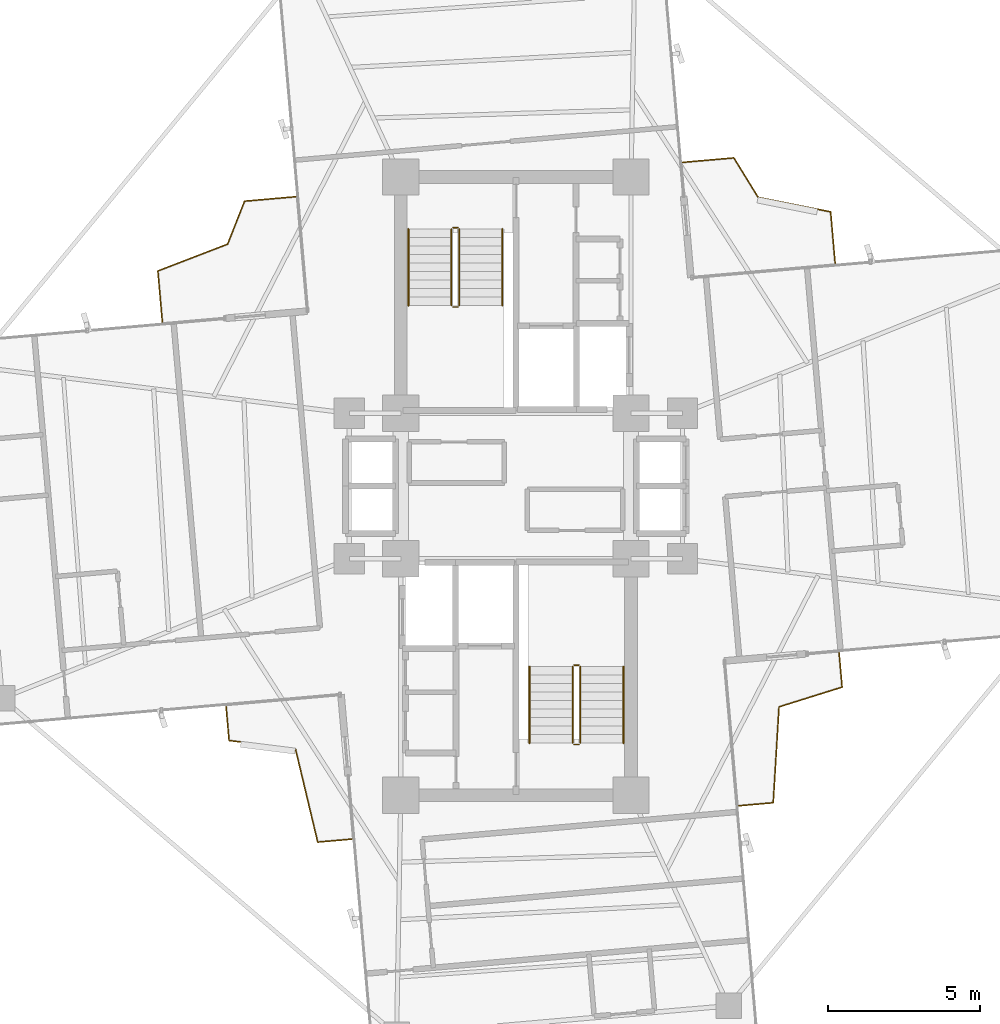
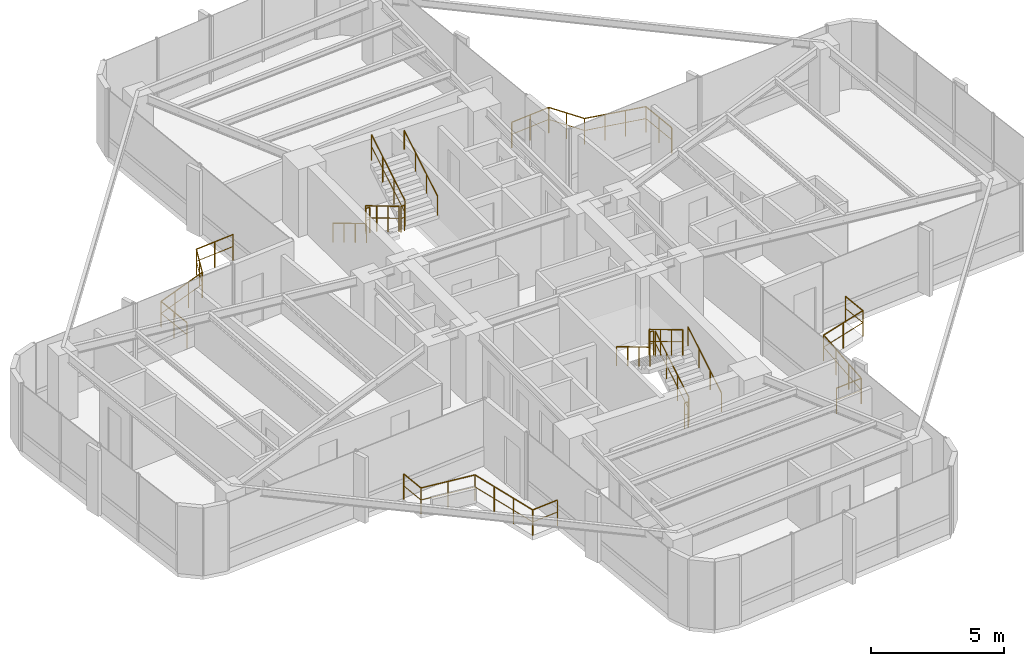
# One storey, part 24 of 24: 16 railings.
"""IFC4 building model written with IfcOpenShell, lengths in metres."""

from ifc_helpers import new_model, si_unit, direction, frame, origin, origin_2d, place, context, subcontext, project, spatial, circle, extrude, material, type_object, element, save


model = new_model("IFC4")

# Units and contexts
model_context = context("Model", 3, precision=1e-05, world=origin(), true_north=direction((0.0, 1.0)))
body_context = subcontext(model_context, "Body", "Model", "MODEL_VIEW")
ifc_project = project(units=[si_unit("LENGTHUNIT", "METRE"), si_unit("AREAUNIT", "SQUARE_METRE"), si_unit("VOLUMEUNIT", "CUBIC_METRE"), si_unit("PLANEANGLEUNIT", "RADIAN"), si_unit("MASSUNIT", "GRAM", prefix="KILO")], contexts=[model_context])

# Site, building, storey
site_placement = place(None, origin())
site = spatial("IfcSite", under=ifc_project, at=site_placement, CompositionType="ELEMENT")
building_placement = place(site_placement, origin())
building = spatial("IfcBuilding", under=site, at=building_placement, Name="Sahyath Konkavel Grand Hotel", CompositionType="ELEMENT")
storey_placement = place(building_placement, frame((0.0, 0.0, 195.300048828125)))
storey = spatial("IfcBuildingStorey", under=building, at=storey_placement, Name="L54", CompositionType="ELEMENT", Elevation=195.300048828125)

# Railings
ifc_material_1 = material(Name="Anodised Bronze Aluminium", Category="aluminium")
railing_type_1 = type_object("IfcRailingType", Name="RLG-BALC-1200", PredefinedType="GUARDRAIL", material=ifc_material_1)
railing_1_placement = place(storey_placement, frame((10.535888671875, 7.356201171875, 0.0)))
element("IfcRailing", 1, at=railing_1_placement, inside=storey, type_object=railing_type_1, Name="L54 Winter-Garden Guard NE", PredefinedType="GUARDRAIL", context=body_context, shape_type="SweptSolid", body=[
    extrude(circle(Radius=0.02392578125, at=origin_2d()), frame((-0.000244140625, 0.001953125, 1.17578125), z_axis=(-0.087143798244, 0.996195743028, 0.0), x_axis=(-0.996195743028, -0.087143798244, 0.0)), (0.0, 0.0, 1.0), 1.696533203125),
    extrude(circle(Radius=0.01416015625, at=origin_2d()), frame((-0.000244140625, 0.001953125, 0.6240234375), z_axis=(-0.087143798244, 0.996195743028, 0.0), x_axis=(-0.996195743028, -0.087143798244, 0.0)), (0.0, 0.0, 1.0), 1.696533203125),
    extrude(circle(Radius=0.02392578125, at=origin_2d()), frame((-0.150146484375, 1.694580078125, 1.17578125), z_axis=(-0.980638363095, 0.195827477202, 0.0), x_axis=(-0.195827477202, -0.980638363095, 0.0)), (0.0, 0.0, 1.0), 2.435791015625),
    extrude(circle(Radius=0.01416015625, at=origin_2d()), frame((-0.150146484375, 1.694580078125, 0.6240234375), z_axis=(-0.980638363095, 0.195827477202, 0.0), x_axis=(-0.195827477202, -0.980638363095, 0.0)), (0.0, 0.0, 1.0), 2.435791015625),
    extrude(circle(Radius=0.02392578125, at=origin_2d()), frame((-2.541748046875, 2.173583984375, 1.17578125), z_axis=(-0.523759036019, 0.851866463824, 0.0), x_axis=(-0.851866463824, -0.523759036019, 0.0)), (0.0, 0.0, 1.0), 1.52587890625),
    extrude(circle(Radius=0.01416015625, at=origin_2d()), frame((-2.541748046875, 2.173583984375, 0.6240234375), z_axis=(-0.523759036019, 0.851866463824, 0.0), x_axis=(-0.851866463824, -0.523759036019, 0.0)), (0.0, 0.0, 1.0), 1.52587890625),
    extrude(circle(Radius=0.02392578125, at=origin_2d()), frame((-3.343994140625, 3.474853515625, 1.17578125), z_axis=(-0.996195743028, -0.087143798244, 0.0), x_axis=(0.087143798244, -0.996195743028, 0.0)), (0.0, 0.0, 1.0), 1.696533203125),
    extrude(circle(Radius=0.01416015625, at=origin_2d()), frame((-3.343994140625, 3.474853515625, 0.6240234375), z_axis=(-0.996195743028, -0.087143798244, 0.0), x_axis=(0.087143798244, -0.996195743028, 0.0)), (0.0, 0.0, 1.0), 1.696533203125),
    extrude(circle(Radius=0.02099609375, at=origin_2d()), origin(), (0.0, 0.0, 1.0), 1.15185546875),
    extrude(circle(Radius=0.02099609375, at=origin_2d()), frame((-0.07421875, 0.84716796875, 0.0)), (0.0, 0.0, 1.0), 1.15185546875),
    extrude(circle(Radius=0.02099609375, at=origin_2d()), frame((-0.148193359375, 1.694091796875, 0.0)), (0.0, 0.0, 1.0), 1.15185546875),
    extrude(circle(Radius=0.02099609375, at=origin_2d()), frame((-0.94580078125, 1.853271484375, 0.0)), (0.0, 0.0, 1.0), 1.15185546875),
    extrude(circle(Radius=0.02099609375, at=origin_2d()), frame((-1.7431640625, 2.0126953125, 0.0)), (0.0, 0.0, 1.0), 1.15185546875),
    extrude(circle(Radius=0.02099609375, at=origin_2d()), frame((-2.540771484375, 2.171875, 0.0)), (0.0, 0.0, 1.0), 1.15185546875),
    extrude(circle(Radius=0.02099609375, at=origin_2d()), frame((-2.94140625, 2.823486328125, 0.0)), (0.0, 0.0, 1.0), 1.15185546875),
    extrude(circle(Radius=0.02099609375, at=origin_2d()), frame((-3.342041015625, 3.47509765625, 0.0)), (0.0, 0.0, 1.0), 1.15185546875),
    extrude(circle(Radius=0.02099609375, at=origin_2d()), frame((-4.18896484375, 3.40087890625, 0.0)), (0.0, 0.0, 1.0), 1.15185546875),
    extrude(circle(Radius=0.02099609375, at=origin_2d()), frame((-5.0361328125, 3.326904296875, 0.0)), (0.0, 0.0, 1.0), 1.15185546875),
])
railing_2_placement = place(storey_placement, frame((-7.27001953125, 9.5498046875, 0.0)))
element("IfcRailing", 2, at=railing_2_placement, inside=storey, type_object=railing_type_1, Name="L54 Winter-Garden Guard NW", PredefinedType="GUARDRAIL", context=body_context, shape_type="SweptSolid", body=[
    extrude(circle(Radius=0.02392578125, at=origin_2d()), frame((-0.001953125, -0.000244140625, 1.17578125), z_axis=(-0.996193874138, -0.087165160072, 0.0), x_axis=(0.087165160072, -0.996193874138, 0.0)), (0.0, 0.0, 1.0), 1.687744140625),
    extrude(circle(Radius=0.01416015625, at=origin_2d()), frame((-0.001953125, -0.000244140625, 0.6240234375), z_axis=(-0.996193874138, -0.087165160072, 0.0), x_axis=(0.087165160072, -0.996193874138, 0.0)), (0.0, 0.0, 1.0), 1.687744140625),
    extrude(circle(Radius=0.02392578125, at=origin_2d()), frame((-1.68603515625, -0.1494140625, 1.17578125), z_axis=(-0.367162889024, -0.93015666042, 0.0), x_axis=(0.93015666042, -0.367162889024, 0.0)), (0.0, 0.0, 1.0), 1.520751953125),
    extrude(circle(Radius=0.01416015625, at=origin_2d()), frame((-1.68603515625, -0.1494140625, 0.6240234375), z_axis=(-0.367162889024, -0.93015666042, 0.0), x_axis=(0.93015666042, -0.367162889024, 0.0)), (0.0, 0.0, 1.0), 1.520751953125),
    extrude(circle(Radius=0.02392578125, at=origin_2d()), frame((-2.2470703125, -1.56640625, 1.17578125), z_axis=(-0.933337950819, -0.358998982674, 0.0), x_axis=(0.358998982674, -0.933337950819, 0.0)), (0.0, 0.0, 1.0), 2.4619140625),
    extrude(circle(Radius=0.01416015625, at=origin_2d()), frame((-2.2470703125, -1.56640625, 0.6240234375), z_axis=(-0.933337950819, -0.358998982674, 0.0), x_axis=(0.358998982674, -0.933337950819, 0.0)), (0.0, 0.0, 1.0), 2.4619140625),
    extrude(circle(Radius=0.02392578125, at=origin_2d()), frame((-4.54638671875, -2.452880859375, 1.17578125), z_axis=(0.087165160072, -0.996193874138, 0.0), x_axis=(0.996193874138, 0.087165160072, 0.0)), (0.0, 0.0, 1.0), 1.687744140625),
    extrude(circle(Radius=0.01416015625, at=origin_2d()), frame((-4.54638671875, -2.452880859375, 0.6240234375), z_axis=(0.087165160072, -0.996193874138, 0.0), x_axis=(0.996193874138, 0.087165160072, 0.0)), (0.0, 0.0, 1.0), 1.687744140625),
    extrude(circle(Radius=0.02099609375, at=origin_2d()), origin(), (0.0, 0.0, 1.0), 1.15185546875),
    extrude(circle(Radius=0.02099609375, at=origin_2d()), frame((-0.8427734375, -0.07373046875, 0.0)), (0.0, 0.0, 1.0), 1.15185546875),
    extrude(circle(Radius=0.02099609375, at=origin_2d()), frame((-1.685302734375, -0.1474609375, 0.0)), (0.0, 0.0, 1.0), 1.15185546875),
    extrude(circle(Radius=0.02099609375, at=origin_2d()), frame((-1.96533203125, -0.8564453125, 0.0)), (0.0, 0.0, 1.0), 1.15185546875),
    extrude(circle(Radius=0.02099609375, at=origin_2d()), frame((-2.2451171875, -1.565673828125, 0.0)), (0.0, 0.0, 1.0), 1.15185546875),
    extrude(circle(Radius=0.02099609375, at=origin_2d()), frame((-3.01220703125, -1.86083984375, 0.0)), (0.0, 0.0, 1.0), 1.15185546875),
    extrude(circle(Radius=0.02099609375, at=origin_2d()), frame((-3.779541015625, -2.15576171875, 0.0)), (0.0, 0.0, 1.0), 1.15185546875),
    extrude(circle(Radius=0.02099609375, at=origin_2d()), frame((-4.546630859375, -2.450927734375, 0.0)), (0.0, 0.0, 1.0), 1.15185546875),
    extrude(circle(Radius=0.02099609375, at=origin_2d()), frame((-4.472900390625, -3.29345703125, 0.0)), (0.0, 0.0, 1.0), 1.15185546875),
    extrude(circle(Radius=0.02099609375, at=origin_2d()), frame((-4.399169921875, -4.13623046875, 0.0)), (0.0, 0.0, 1.0), 1.15185546875),
])
railing_3_placement = place(storey_placement, frame((-9.565673828125, -7.271484375, 0.0)))
element("IfcRailing", 3, at=railing_3_placement, inside=storey, type_object=railing_type_1, Name="L54 Winter-Garden Guard SW", PredefinedType="GUARDRAIL", context=body_context, shape_type="SweptSolid", body=[
    extrude(circle(Radius=0.02392578125, at=origin_2d()), frame((0.000244140625, -0.001953125, 1.17578125), z_axis=(0.087169626868, -0.996193483291, 0.0), x_axis=(0.996193483291, 0.087169626868, 0.0)), (0.0, 0.0, 1.0), 1.12744140625),
    extrude(circle(Radius=0.01416015625, at=origin_2d()), frame((0.000244140625, -0.001953125, 0.6240234375), z_axis=(0.087169626868, -0.996193483291, 0.0), x_axis=(0.996193483291, 0.087169626868, 0.0)), (0.0, 0.0, 1.0), 1.12744140625),
    extrude(circle(Radius=0.02392578125, at=origin_2d()), frame((0.1005859375, -1.12744140625, 1.17578125), z_axis=(0.992296584298, -0.123884982099, 0.0), x_axis=(0.123884982099, 0.992296584298, 0.0)), (0.0, 0.0, 1.0), 2.203125),
    extrude(circle(Radius=0.01416015625, at=origin_2d()), frame((0.1005859375, -1.12744140625, 0.6240234375), z_axis=(0.992296584298, -0.123884982099, 0.0), x_axis=(0.123884982099, 0.992296584298, 0.0)), (0.0, 0.0, 1.0), 2.203125),
    extrude(circle(Radius=0.02392578125, at=origin_2d()), frame((2.289306640625, -1.402587890625, 1.17578125), z_axis=(0.232016635762, -0.972711817924, 0.0), x_axis=(0.972711817924, 0.232016635762, 0.0)), (0.0, 0.0, 1.0), 3.162353515625),
    extrude(circle(Radius=0.01416015625, at=origin_2d()), frame((2.289306640625, -1.402587890625, 0.6240234375), z_axis=(0.232016635762, -0.972711817924, 0.0), x_axis=(0.972711817924, 0.232016635762, 0.0)), (0.0, 0.0, 1.0), 3.162353515625),
    extrude(circle(Radius=0.02392578125, at=origin_2d()), frame((3.025390625, -4.480224609375, 1.17578125), z_axis=(0.996195122273, 0.087150894196, 0.0), x_axis=(-0.087150894196, 0.996195122273, 0.0)), (0.0, 0.0, 1.0), 1.127685546875),
    extrude(circle(Radius=0.01416015625, at=origin_2d()), frame((3.025390625, -4.480224609375, 0.6240234375), z_axis=(0.996195122273, 0.087150894196, 0.0), x_axis=(-0.087150894196, 0.996195122273, 0.0)), (0.0, 0.0, 1.0), 1.127685546875),
    extrude(circle(Radius=0.02099609375, at=origin_2d()), origin(), (0.0, 0.0, 1.0), 1.15185546875),
    extrude(circle(Radius=0.02099609375, at=origin_2d()), frame((0.0986328125, -1.127197265625, 0.0)), (0.0, 0.0, 1.0), 1.15185546875),
    extrude(circle(Radius=0.02099609375, at=origin_2d()), frame((1.19384765625, -1.263916015625, 0.0)), (0.0, 0.0, 1.0), 1.15185546875),
    extrude(circle(Radius=0.02099609375, at=origin_2d()), frame((2.288818359375, -1.400634765625, 0.0)), (0.0, 0.0, 1.0), 1.15185546875),
    extrude(circle(Radius=0.02099609375, at=origin_2d()), frame((2.53369140625, -2.42724609375, 0.0)), (0.0, 0.0, 1.0), 1.15185546875),
    extrude(circle(Radius=0.02099609375, at=origin_2d()), frame((2.778564453125, -3.453857421875, 0.0)), (0.0, 0.0, 1.0), 1.15185546875),
    extrude(circle(Radius=0.02099609375, at=origin_2d()), frame((3.0234375, -4.48046875, 0.0)), (0.0, 0.0, 1.0), 1.15185546875),
    extrude(circle(Radius=0.02099609375, at=origin_2d()), frame((4.15087890625, -4.3818359375, 0.0)), (0.0, 0.0, 1.0), 1.15185546875),
])
railing_4_placement = place(storey_placement, frame((7.357666015625, -10.552001953125, 0.0)))
element("IfcRailing", 4, at=railing_4_placement, inside=storey, type_object=railing_type_1, Name="L54 Winter-Garden Guard SE", PredefinedType="GUARDRAIL", context=body_context, shape_type="SweptSolid", body=[
    extrude(circle(Radius=0.02392578125, at=origin_2d()), frame((0.001953125, 0.000244140625, 1.17578125), z_axis=(0.996177666027, 0.087350201534, 0.0), x_axis=(-0.087350201534, 0.996177666027, 0.0)), (0.0, 0.0, 1.0), 1.13623046875),
    extrude(circle(Radius=0.01416015625, at=origin_2d()), frame((0.001953125, 0.000244140625, 0.6240234375), z_axis=(0.996177666027, 0.087350201534, 0.0), x_axis=(-0.087350201534, 0.996177666027, 0.0)), (0.0, 0.0, 1.0), 1.13623046875),
    extrude(circle(Radius=0.02392578125, at=origin_2d()), frame((1.135986328125, 0.1015625, 1.17578125), z_axis=(0.060450884953, 0.99817117295, 0.0), x_axis=(-0.99817117295, 0.060450884953, 0.0)), (0.0, 0.0, 1.0), 3.166259765625),
    extrude(circle(Radius=0.01416015625, at=origin_2d()), frame((1.135986328125, 0.1015625, 0.6240234375), z_axis=(0.060450884953, 0.99817117295, 0.0), x_axis=(-0.99817117295, 0.060450884953, 0.0)), (0.0, 0.0, 1.0), 3.166259765625),
    extrude(circle(Radius=0.02392578125, at=origin_2d()), frame((1.32958984375, 3.2646484375, 1.17578125), z_axis=(0.954440122215, 0.298402501842, 0.0), x_axis=(-0.298402501842, 0.954440122215, 0.0)), (0.0, 0.0, 1.0), 2.176513671875),
    extrude(circle(Radius=0.01416015625, at=origin_2d()), frame((1.32958984375, 3.2646484375, 0.6240234375), z_axis=(0.954440122215, 0.298402501842, 0.0), x_axis=(-0.298402501842, 0.954440122215, 0.0)), (0.0, 0.0, 1.0), 2.176513671875),
    extrude(circle(Radius=0.02392578125, at=origin_2d()), frame((3.408447265625, 3.916748046875, 1.17578125), z_axis=(-0.087137735495, 0.996196273358, 0.0), x_axis=(-0.996196273358, -0.087137735495, 0.0)), (0.0, 0.0, 1.0), 1.13623046875),
    extrude(circle(Radius=0.01416015625, at=origin_2d()), frame((3.408447265625, 3.916748046875, 0.6240234375), z_axis=(-0.087137735495, 0.996196273358, 0.0), x_axis=(-0.996196273358, -0.087137735495, 0.0)), (0.0, 0.0, 1.0), 1.13623046875),
    extrude(circle(Radius=0.02099609375, at=origin_2d()), origin(), (0.0, 0.0, 1.0), 1.15185546875),
    extrude(circle(Radius=0.02099609375, at=origin_2d()), frame((1.135986328125, 0.099609375, 0.0)), (0.0, 0.0, 1.0), 1.15185546875),
    extrude(circle(Radius=0.02099609375, at=origin_2d()), frame((1.199951171875, 1.154541015625, 0.0)), (0.0, 0.0, 1.0), 1.15185546875),
    extrude(circle(Radius=0.02099609375, at=origin_2d()), frame((1.263671875, 2.209228515625, 0.0)), (0.0, 0.0, 1.0), 1.15185546875),
    extrude(circle(Radius=0.02099609375, at=origin_2d()), frame((1.32763671875, 3.26416015625, 0.0)), (0.0, 0.0, 1.0), 1.15185546875),
    extrude(circle(Radius=0.02099609375, at=origin_2d()), frame((2.3681640625, 3.58935546875, 0.0)), (0.0, 0.0, 1.0), 1.15185546875),
    extrude(circle(Radius=0.02099609375, at=origin_2d()), frame((3.40869140625, 3.914794921875, 0.0)), (0.0, 0.0, 1.0), 1.15185546875),
    extrude(circle(Radius=0.02099609375, at=origin_2d()), frame((3.309326171875, 5.05078125, 0.0)), (0.0, 0.0, 1.0), 1.15185546875),
])
ifc_material_2 = material(Name="Steel E350", Category="steel")
railing_type_2 = type_object("IfcRailingType", Name="RLG-STAIR-GRD", PredefinedType="GUARDRAIL", material=ifc_material_2)
railing_5_placement = place(storey_placement, frame((-2.1298828125, 8.47998046875, 0.16748046875)))
element("IfcRailing", 5, at=railing_5_placement, inside=storey, type_object=railing_type_2, Name="L54 ST-1 stair guard 1", PredefinedType="GUARDRAIL", context=body_context, shape_type="SweptSolid", body=[
    extrude(circle(Radius=0.02392578125, at=origin_2d()), frame((0.0, -0.001708984375, 1.177001953125), z_axis=(0.0, -0.858159760407, 0.513382728203), x_axis=(1.0, 0.0, 0.0)), (0.0, 0.0, 1.0), 2.9326171875),
    extrude(circle(Radius=0.01416015625, at=origin_2d()), frame((0.0, -0.001708984375, 0.625), z_axis=(0.0, -0.858159760407, 0.513382728203), x_axis=(1.0, 0.0, 0.0)), (0.0, 0.0, 1.0), 2.9326171875),
    extrude(circle(Radius=0.02099609375, at=origin_2d()), origin(), (0.0, 0.0, 1.0), 1.15185546875),
    extrude(circle(Radius=0.02099609375, at=origin_2d()), frame((0.0, -0.840087890625, 0.50244140625)), (0.0, 0.0, 1.0), 1.15185546875),
    extrude(circle(Radius=0.02099609375, at=origin_2d()), frame((0.0, -1.679931640625, 1.005126953125)), (0.0, 0.0, 1.0), 1.15185546875),
    extrude(circle(Radius=0.02099609375, at=origin_2d()), frame((0.0, -2.52001953125, 1.507568359375)), (0.0, 0.0, 1.0), 1.15185546875),
])
railing_6_placement = place(storey_placement, frame((-2.080078125, 5.909912109375, 1.675048828125)))
element("IfcRailing", 6, at=railing_6_placement, inside=storey, type_object=railing_type_2, Name="L54 ST-1 stair guard 2", PredefinedType="GUARDRAIL", context=body_context, shape_type="SweptSolid", body=[
    extrude(circle(Radius=0.02392578125, at=origin_2d()), frame((0.001953125, 0.0, 1.17578125), z_axis=(1.0, 0.0, 0.0), x_axis=(0.0, 1.0, 0.0)), (0.0, 0.0, 1.0), 0.15625),
    extrude(circle(Radius=0.01416015625, at=origin_2d()), frame((0.001953125, 0.0, 0.6240234375), z_axis=(1.0, 0.0, 0.0), x_axis=(0.0, 1.0, 0.0)), (0.0, 0.0, 1.0), 0.15625),
    extrude(circle(Radius=0.02099609375, at=origin_2d()), origin(), (0.0, 0.0, 1.0), 1.15185546875),
    extrude(circle(Radius=0.02099609375, at=origin_2d()), frame((0.16015625, 0.0, 0.0)), (0.0, 0.0, 1.0), 1.15185546875),
])
railing_7_placement = place(storey_placement, frame((-1.8701171875, 5.9599609375, 1.842529296875)))
element("IfcRailing", 7, at=railing_7_placement, inside=storey, type_object=railing_type_2, Name="L54 ST-1 stair guard 3", PredefinedType="GUARDRAIL", context=body_context, shape_type="SweptSolid", body=[
    extrude(circle(Radius=0.02392578125, at=origin_2d()), frame((0.0, 0.001708984375, 1.177001953125), z_axis=(0.0, 0.858196387827, 0.513321497621), x_axis=(-1.0, 0.0, 0.0)), (0.0, 0.0, 1.0), 2.932373046875),
    extrude(circle(Radius=0.01416015625, at=origin_2d()), frame((0.0, 0.001708984375, 0.625), z_axis=(0.0, 0.858196387827, 0.513321497621), x_axis=(-1.0, 0.0, 0.0)), (0.0, 0.0, 1.0), 2.932373046875),
    extrude(circle(Radius=0.02099609375, at=origin_2d()), origin(), (0.0, 0.0, 1.0), 1.15185546875),
    extrude(circle(Radius=0.02099609375, at=origin_2d()), frame((0.0, 0.840087890625, 0.50244140625)), (0.0, 0.0, 1.0), 1.15185546875),
    extrude(circle(Radius=0.02099609375, at=origin_2d()), frame((0.0, 1.679931640625, 1.0048828125)), (0.0, 0.0, 1.0), 1.15185546875),
    extrude(circle(Radius=0.02099609375, at=origin_2d()), frame((0.0, 2.52001953125, 1.50732421875)), (0.0, 0.0, 1.0), 1.15185546875),
])
railing_8_placement = place(storey_placement, frame((-2.080078125, 8.530029296875, 0.0)))
element("IfcRailing", 8, at=railing_8_placement, inside=storey, type_object=railing_type_2, Name="L54 ST-1 stair guard 4", PredefinedType="GUARDRAIL", context=body_context, shape_type="SweptSolid", body=[
    extrude(circle(Radius=0.02392578125, at=origin_2d()), frame((0.001953125, 0.0, 1.17578125), z_axis=(1.0, 0.0, 0.0), x_axis=(0.0, 1.0, 0.0)), (0.0, 0.0, 1.0), 0.15625),
    extrude(circle(Radius=0.01416015625, at=origin_2d()), frame((0.001953125, 0.0, 0.6240234375), z_axis=(1.0, 0.0, 0.0), x_axis=(0.0, 1.0, 0.0)), (0.0, 0.0, 1.0), 0.15625),
    extrude(circle(Radius=0.02099609375, at=origin_2d()), origin(), (0.0, 0.0, 1.0), 1.15185546875),
    extrude(circle(Radius=0.02099609375, at=origin_2d()), frame((0.16015625, 0.0, 0.0)), (0.0, 0.0, 1.0), 1.15185546875),
])
railing_9_placement = place(storey_placement, frame((2.1298828125, -8.47998046875, 0.16748046875)))
element("IfcRailing", 9, at=railing_9_placement, inside=storey, type_object=railing_type_2, Name="L54 ST-2 stair guard 1", PredefinedType="GUARDRAIL", context=body_context, shape_type="SweptSolid", body=[
    extrude(circle(Radius=0.02392578125, at=origin_2d()), frame((0.0, 0.001708984375, 1.177001953125), z_axis=(0.0, 0.858159760407, 0.513382728203), x_axis=(-1.0, 0.0, 0.0)), (0.0, 0.0, 1.0), 2.9326171875),
    extrude(circle(Radius=0.01416015625, at=origin_2d()), frame((0.0, 0.001708984375, 0.625), z_axis=(0.0, 0.858159760407, 0.513382728203), x_axis=(-1.0, 0.0, 0.0)), (0.0, 0.0, 1.0), 2.9326171875),
    extrude(circle(Radius=0.02099609375, at=origin_2d()), origin(), (0.0, 0.0, 1.0), 1.15185546875),
    extrude(circle(Radius=0.02099609375, at=origin_2d()), frame((0.0, 0.840087890625, 0.50244140625)), (0.0, 0.0, 1.0), 1.15185546875),
    extrude(circle(Radius=0.02099609375, at=origin_2d()), frame((0.0, 1.679931640625, 1.005126953125)), (0.0, 0.0, 1.0), 1.15185546875),
    extrude(circle(Radius=0.02099609375, at=origin_2d()), frame((0.0, 2.52001953125, 1.507568359375)), (0.0, 0.0, 1.0), 1.15185546875),
])
railing_10_placement = place(storey_placement, frame((2.080078125, -5.909912109375, 1.675048828125)))
element("IfcRailing", 10, at=railing_10_placement, inside=storey, type_object=railing_type_2, Name="L54 ST-2 stair guard 2", PredefinedType="GUARDRAIL", context=body_context, shape_type="SweptSolid", body=[
    extrude(circle(Radius=0.02392578125, at=origin_2d()), frame((-0.001953125, 0.0, 1.17578125), z_axis=(-1.0, 0.0, 0.0), x_axis=(0.0, -1.0, 0.0)), (0.0, 0.0, 1.0), 0.15625),
    extrude(circle(Radius=0.01416015625, at=origin_2d()), frame((-0.001953125, 0.0, 0.6240234375), z_axis=(-1.0, 0.0, 0.0), x_axis=(0.0, -1.0, 0.0)), (0.0, 0.0, 1.0), 0.15625),
    extrude(circle(Radius=0.02099609375, at=origin_2d()), origin(), (0.0, 0.0, 1.0), 1.15185546875),
    extrude(circle(Radius=0.02099609375, at=origin_2d()), frame((-0.16015625, 0.0, 0.0)), (0.0, 0.0, 1.0), 1.15185546875),
])
railing_11_placement = place(storey_placement, frame((1.8701171875, -5.9599609375, 1.842529296875)))
element("IfcRailing", 11, at=railing_11_placement, inside=storey, type_object=railing_type_2, Name="L54 ST-2 stair guard 3", PredefinedType="GUARDRAIL", context=body_context, shape_type="SweptSolid", body=[
    extrude(circle(Radius=0.02392578125, at=origin_2d()), frame((0.0, -0.001708984375, 1.177001953125), z_axis=(0.0, -0.858196387827, 0.513321497621), x_axis=(1.0, 0.0, 0.0)), (0.0, 0.0, 1.0), 2.932373046875),
    extrude(circle(Radius=0.01416015625, at=origin_2d()), frame((0.0, -0.001708984375, 0.625), z_axis=(0.0, -0.858196387827, 0.513321497621), x_axis=(1.0, 0.0, 0.0)), (0.0, 0.0, 1.0), 2.932373046875),
    extrude(circle(Radius=0.02099609375, at=origin_2d()), origin(), (0.0, 0.0, 1.0), 1.15185546875),
    extrude(circle(Radius=0.02099609375, at=origin_2d()), frame((0.0, -0.840087890625, 0.50244140625)), (0.0, 0.0, 1.0), 1.15185546875),
    extrude(circle(Radius=0.02099609375, at=origin_2d()), frame((0.0, -1.679931640625, 1.0048828125)), (0.0, 0.0, 1.0), 1.15185546875),
    extrude(circle(Radius=0.02099609375, at=origin_2d()), frame((0.0, -2.52001953125, 1.50732421875)), (0.0, 0.0, 1.0), 1.15185546875),
])
railing_12_placement = place(storey_placement, frame((2.080078125, -8.530029296875, 0.0)))
element("IfcRailing", 12, at=railing_12_placement, inside=storey, type_object=railing_type_2, Name="L54 ST-2 stair guard 4", PredefinedType="GUARDRAIL", context=body_context, shape_type="SweptSolid", body=[
    extrude(circle(Radius=0.02392578125, at=origin_2d()), frame((-0.001953125, 0.0, 1.17578125), z_axis=(-1.0, 0.0, 0.0), x_axis=(0.0, -1.0, 0.0)), (0.0, 0.0, 1.0), 0.15625),
    extrude(circle(Radius=0.01416015625, at=origin_2d()), frame((-0.001953125, 0.0, 0.6240234375), z_axis=(-1.0, 0.0, 0.0), x_axis=(0.0, -1.0, 0.0)), (0.0, 0.0, 1.0), 0.15625),
    extrude(circle(Radius=0.02099609375, at=origin_2d()), origin(), (0.0, 0.0, 1.0), 1.15185546875),
    extrude(circle(Radius=0.02099609375, at=origin_2d()), frame((-0.16015625, 0.0, 0.0)), (0.0, 0.0, 1.0), 1.15185546875),
])
railing_type_3 = type_object("IfcRailingType", Name="RLG-STAIR-HND", PredefinedType="HANDRAIL", material=ifc_material_1)
railing_13_placement = place(storey_placement, frame((-3.550048828125, 8.47998046875, 0.16748046875)))
element("IfcRailing", 13, at=railing_13_placement, inside=storey, type_object=railing_type_3, Name="L54 ST-1 stair handrail 1", PredefinedType="HANDRAIL", context=body_context, shape_type="SweptSolid", body=[
    extrude(circle(Radius=0.02392578125, at=origin_2d()), frame((0.0, -0.001708984375, 0.876953125), z_axis=(0.0, -0.858159760407, 0.513382728203), x_axis=(1.0, 0.0, 0.0)), (0.0, 0.0, 1.0), 2.9326171875),
    extrude(circle(Radius=0.02099609375, at=origin_2d()), origin(), (0.0, 0.0, 1.0), 0.851806640625),
    extrude(circle(Radius=0.02099609375, at=origin_2d()), frame((0.0, -0.840087890625, 0.50244140625)), (0.0, 0.0, 1.0), 0.851806640625),
    extrude(circle(Radius=0.02099609375, at=origin_2d()), frame((0.0, -1.679931640625, 1.005126953125)), (0.0, 0.0, 1.0), 0.851806640625),
    extrude(circle(Radius=0.02099609375, at=origin_2d()), frame((0.0, -2.52001953125, 1.507568359375)), (0.0, 0.0, 1.0), 0.851806640625),
])
railing_14_placement = place(storey_placement, frame((-0.449951171875, 5.9599609375, 1.842529296875)))
element("IfcRailing", 14, at=railing_14_placement, inside=storey, type_object=railing_type_3, Name="L54 ST-1 stair handrail 2", PredefinedType="HANDRAIL", context=body_context, shape_type="SweptSolid", body=[
    extrude(circle(Radius=0.02392578125, at=origin_2d()), frame((0.0, 0.001708984375, 0.876953125), z_axis=(0.0, 0.858196387827, 0.513321497621), x_axis=(-1.0, 0.0, 0.0)), (0.0, 0.0, 1.0), 2.932373046875),
    extrude(circle(Radius=0.02099609375, at=origin_2d()), origin(), (0.0, 0.0, 1.0), 0.851806640625),
    extrude(circle(Radius=0.02099609375, at=origin_2d()), frame((0.0, 0.840087890625, 0.50244140625)), (0.0, 0.0, 1.0), 0.851806640625),
    extrude(circle(Radius=0.02099609375, at=origin_2d()), frame((0.0, 1.679931640625, 1.0048828125)), (0.0, 0.0, 1.0), 0.851806640625),
    extrude(circle(Radius=0.02099609375, at=origin_2d()), frame((0.0, 2.52001953125, 1.50732421875)), (0.0, 0.0, 1.0), 0.851806640625),
])
railing_15_placement = place(storey_placement, frame((3.550048828125, -8.47998046875, 0.16748046875)))
element("IfcRailing", 15, at=railing_15_placement, inside=storey, type_object=railing_type_3, Name="L54 ST-2 stair handrail 1", PredefinedType="HANDRAIL", context=body_context, shape_type="SweptSolid", body=[
    extrude(circle(Radius=0.02392578125, at=origin_2d()), frame((0.0, 0.001708984375, 0.876953125), z_axis=(0.0, 0.858159760407, 0.513382728203), x_axis=(-1.0, 0.0, 0.0)), (0.0, 0.0, 1.0), 2.9326171875),
    extrude(circle(Radius=0.02099609375, at=origin_2d()), origin(), (0.0, 0.0, 1.0), 0.851806640625),
    extrude(circle(Radius=0.02099609375, at=origin_2d()), frame((0.0, 0.840087890625, 0.50244140625)), (0.0, 0.0, 1.0), 0.851806640625),
    extrude(circle(Radius=0.02099609375, at=origin_2d()), frame((0.0, 1.679931640625, 1.005126953125)), (0.0, 0.0, 1.0), 0.851806640625),
    extrude(circle(Radius=0.02099609375, at=origin_2d()), frame((0.0, 2.52001953125, 1.507568359375)), (0.0, 0.0, 1.0), 0.851806640625),
])
railing_16_placement = place(storey_placement, frame((0.449951171875, -5.9599609375, 1.842529296875)))
element("IfcRailing", 16, at=railing_16_placement, inside=storey, type_object=railing_type_3, Name="L54 ST-2 stair handrail 2", PredefinedType="HANDRAIL", context=body_context, shape_type="SweptSolid", body=[
    extrude(circle(Radius=0.02392578125, at=origin_2d()), frame((0.0, -0.001708984375, 0.876953125), z_axis=(0.0, -0.858196387827, 0.513321497621), x_axis=(1.0, 0.0, 0.0)), (0.0, 0.0, 1.0), 2.932373046875),
    extrude(circle(Radius=0.02099609375, at=origin_2d()), origin(), (0.0, 0.0, 1.0), 0.851806640625),
    extrude(circle(Radius=0.02099609375, at=origin_2d()), frame((0.0, -0.840087890625, 0.50244140625)), (0.0, 0.0, 1.0), 0.851806640625),
    extrude(circle(Radius=0.02099609375, at=origin_2d()), frame((0.0, -1.679931640625, 1.0048828125)), (0.0, 0.0, 1.0), 0.851806640625),
    extrude(circle(Radius=0.02099609375, at=origin_2d()), frame((0.0, -2.52001953125, 1.50732421875)), (0.0, 0.0, 1.0), 0.851806640625),
])

save(model, "model.ifc")
